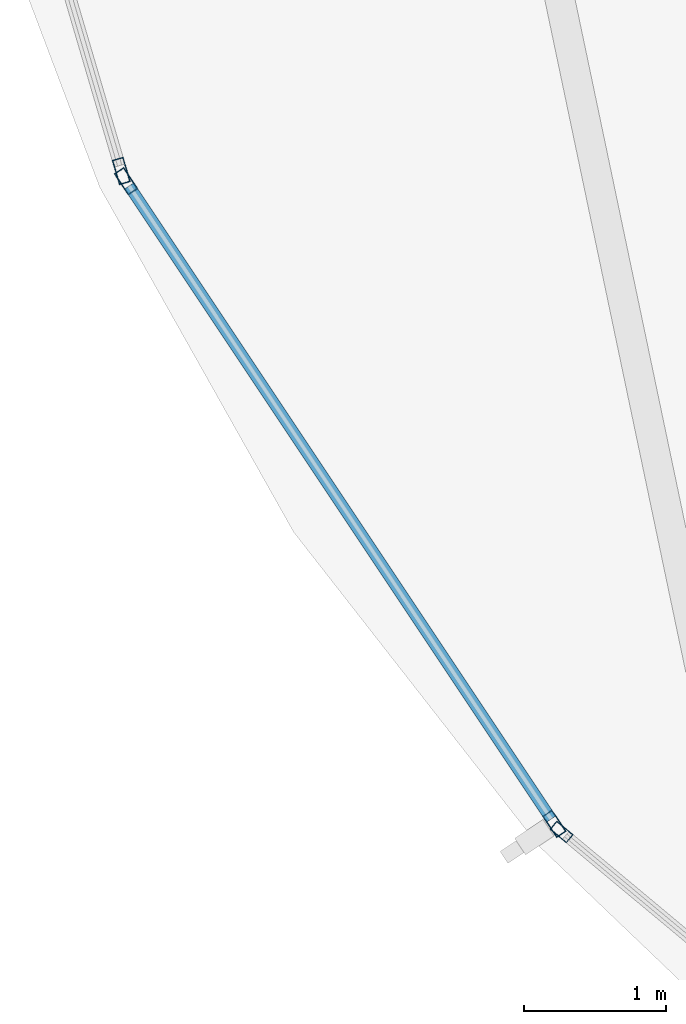
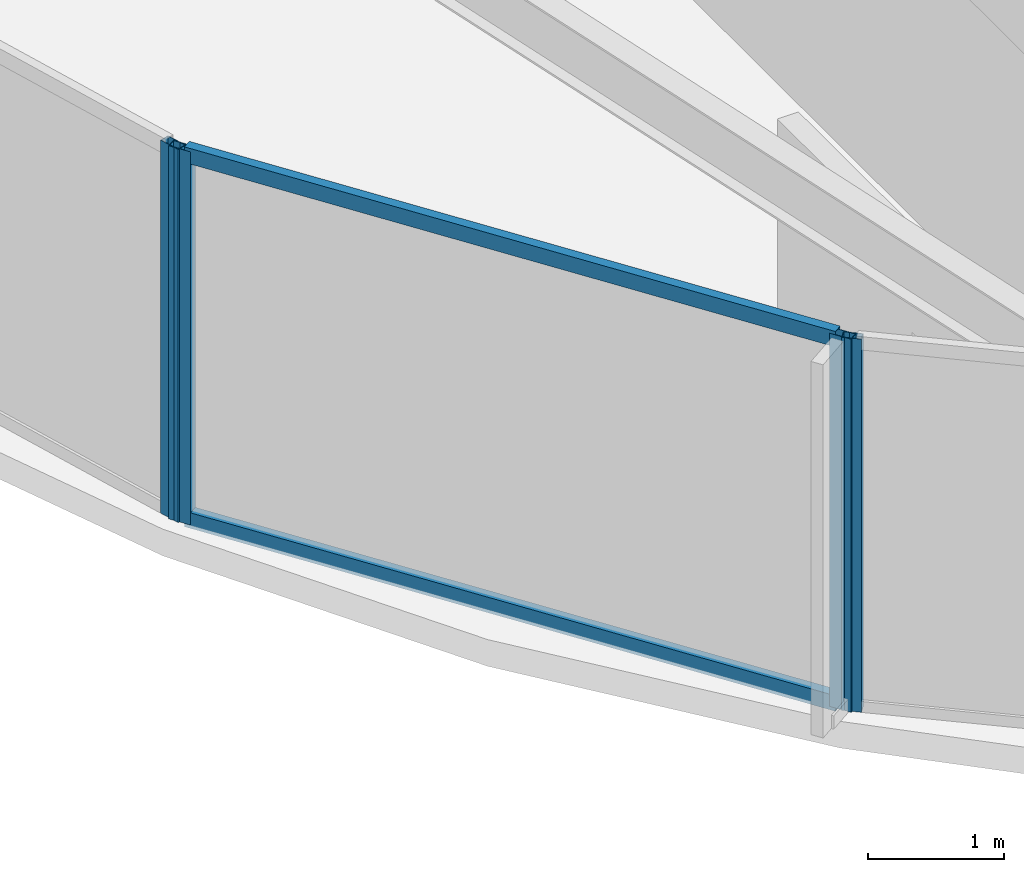
# One storey, part 3 of 31: 6 members, 3 elements without a shape of their own.
"""IFC4 building model written with IfcOpenShell, lengths in metres."""

from ifc_helpers import new_model, si_unit, direction, frame, origin, origin_2d, place, context, subcontext, project, spatial, hollow_rectangle, extrude, material, layer, layer_set, material_profile, profile_set, type_object, element, aggregate, save


model = new_model("IFC4")

# Units and contexts
model_context = context("Model", 3, precision=1e-05, world=origin(), true_north=direction((0.0, 1.0)))
body_context = subcontext(model_context, "Body", "Model", "MODEL_VIEW")
ifc_project = project(units=[si_unit("LENGTHUNIT", "METRE"), si_unit("AREAUNIT", "SQUARE_METRE"), si_unit("VOLUMEUNIT", "CUBIC_METRE"), si_unit("PLANEANGLEUNIT", "RADIAN"), si_unit("MASSUNIT", "GRAM", prefix="KILO")], contexts=[model_context])

# Site, building, storey
site_placement = place(None, origin())
site = spatial("IfcSite", under=ifc_project, at=site_placement, CompositionType="ELEMENT")
building_placement = place(site_placement, origin())
building = spatial("IfcBuilding", under=site, at=building_placement, Name="Kazevale Care Tower and Concert Hall", CompositionType="ELEMENT")
storey_placement = place(building_placement, frame((0.0, 0.0, 235.199951171875)))
storey = spatial("IfcBuildingStorey", under=building, at=storey_placement, Name="L62", CompositionType="ELEMENT", Elevation=235.199951171875)

# Curtain wall, members
ifc_material_1 = material(Name="Aluminium 6063-T6 and Low-E Glass", Category="aluminium")
ifc_layer_1 = layer(ifc_material_1, 0.179931640625)
ifc_layer_set_1 = layer_set([ifc_layer_1], Name="Aluminium 6063-T6 and Low-E Glass")
curtain_wall_type_1 = type_object("IfcCurtainWallType", Name="Waist & Upper Residential Curtain Wall CW-4", PredefinedType="NOTDEFINED", material=ifc_layer_set_1)
curtain_wall_1_placement = place(storey_placement, origin())
curtain_wall_1 = element("IfcCurtainWall", 1, at=curtain_wall_1_placement, inside=storey, type_object=curtain_wall_type_1, Name="cw:L62:f11", PredefinedType="NOTDEFINED")
ifc_material_2 = material(Name="Aluminium 6063-T6", Category="aluminium")
ifc_material_profile_1 = material_profile(ifc_material_2, hollow_rectangle(XDim=0.080078125, YDim=0.179931640625, WallThickness=0.0048828125, at=origin_2d()), Name="ALU80x180x5")
ifc_profile_set_1 = profile_set([ifc_material_profile_1], Name="Aluminium 6063-T6")
member_type_1 = type_object("IfcMemberType", Name="CW-4 Mullion ALU80x180x5", PredefinedType="MULLION", material=ifc_profile_set_1)
member_1_placement = place(storey_placement, frame((18.185791015625, 25.26318359375, 0.0), z_axis=(0.0, 0.0, 1.0), x_axis=(-0.832106058512, -0.554616540853, 0.0)))
member_1 = element("IfcMember", 2, at=member_1_placement, type_object=member_type_1, Name="CW-4 mullion 1", PredefinedType="MULLION", context=body_context, shape_type="SweptSolid", body=[
    extrude(hollow_rectangle(XDim=0.080078125, YDim=0.179931640625, WallThickness=0.0048828125, at=origin_2d()), origin(), (0.0, 0.0, 1.0), 3.360107421875),
])
member_2_placement = place(storey_placement, frame((15.170166015625, 29.78759765625, 0.0), z_axis=(0.0, 0.0, 1.0), x_axis=(-0.832106058512, -0.554616540853, 0.0)))
member_2 = element("IfcMember", 3, at=member_2_placement, type_object=member_type_1, Name="CW-4 mullion 2", PredefinedType="MULLION", context=body_context, shape_type="SweptSolid", body=[
    extrude(hollow_rectangle(XDim=0.080078125, YDim=0.179931640625, WallThickness=0.0048828125, at=origin_2d()), origin(), (0.0, 0.0, 1.0), 3.360107421875),
])

# Curtain wall, member
curtain_wall_2_placement = place(storey_placement, origin())
curtain_wall_2 = element("IfcCurtainWall", 4, at=curtain_wall_2_placement, inside=storey, type_object=curtain_wall_type_1, Name="cw:L62:f12", PredefinedType="NOTDEFINED")
member_3_placement = place(storey_placement, frame((15.13671875, 29.859375, 0.0), z_axis=(0.0, 0.0, 1.0), x_axis=(-0.959385539982, -0.282098184457, 0.0)))
member_3 = element("IfcMember", 5, at=member_3_placement, type_object=member_type_1, Name="CW-4 mullion 1", PredefinedType="MULLION", context=body_context, shape_type="SweptSolid", body=[
    extrude(hollow_rectangle(XDim=0.080078125, YDim=0.179931640625, WallThickness=0.0048828125, at=origin_2d()), origin(), (0.0, 0.0, 1.0), 3.360107421875),
])
aggregate(curtain_wall_2, [member_3])

# Member
ifc_material_profile_2 = material_profile(ifc_material_2, hollow_rectangle(XDim=0.080078125, YDim=0.139892578125, WallThickness=0.00390625, at=origin_2d()), Name="ALU80x140x4")
ifc_profile_set_2 = profile_set([ifc_material_profile_2], Name="Aluminium 6063-T6")
member_type_2 = type_object("IfcMemberType", Name="CW-4 Transom ALU80x140x4", PredefinedType="USERDEFINED", material=ifc_profile_set_2)
member_4_placement = place(storey_placement, frame((18.16357421875, 25.296630859375, 0.0400390625), z_axis=(-0.554616059735, 0.832106379187, 0.0), x_axis=(-0.832106379187, -0.554616059735, 0.0)))
member_4 = element("IfcMember", 6, at=member_4_placement, type_object=member_type_2, Name="CW-4 transom 1.1", ObjectType="TRANSOM", PredefinedType="USERDEFINED", context=body_context, shape_type="SweptSolid", body=[
    extrude(hollow_rectangle(XDim=0.080078125, YDim=0.139892578125, WallThickness=0.00390625, at=origin_2d()), origin(), (0.0, 0.0, 1.0), 5.357177734375),
])

member_5_placement = place(storey_placement, frame((18.16357421875, 25.296630859375, 3.320068359375), z_axis=(-0.554616059735, 0.832106379187, 0.0), x_axis=(-0.832106379187, -0.554616059735, 0.0)))
member_5 = element("IfcMember", 7, at=member_5_placement, type_object=member_type_2, Name="CW-4 transom 1.2", ObjectType="TRANSOM", PredefinedType="USERDEFINED", context=body_context, shape_type="SweptSolid", body=[
    extrude(hollow_rectangle(XDim=0.080078125, YDim=0.139892578125, WallThickness=0.00390625, at=origin_2d()), origin(), (0.0, 0.0, 1.0), 5.357177734375),
])

aggregate(curtain_wall_1, [member_1, member_2, member_4, member_5])

# Curtain wall, member
ifc_layer_2 = layer(ifc_material_1, 0.179931640625)
ifc_layer_set_2 = layer_set([ifc_layer_2], Name="Aluminium 6063-T6 and Low-E Glass")
curtain_wall_type_2 = type_object("IfcCurtainWallType", Name="Sheltered Concave Balcony Curtain Wall CW-5", PredefinedType="NOTDEFINED", material=ifc_layer_set_2)
curtain_wall_3_placement = place(storey_placement, origin())
curtain_wall_3 = element("IfcCurtainWall", 8, at=curtain_wall_3_placement, inside=storey, type_object=curtain_wall_type_2, Name="cw:L62:f10", PredefinedType="NOTDEFINED")
ifc_material_profile_3 = material_profile(ifc_material_2, hollow_rectangle(XDim=0.074951171875, YDim=0.14990234375, WallThickness=0.00390625, at=origin_2d()), Name="ALU75x150x4")
ifc_profile_set_3 = profile_set([ifc_material_profile_3], Name="Aluminium 6063-T6")
member_type_3 = type_object("IfcMemberType", Name="CW-5 Mullion ALU75x150x4", PredefinedType="MULLION", material=ifc_profile_set_3)
member_6_placement = place(storey_placement, frame((18.23681640625, 25.2060546875, 0.0), z_axis=(0.0, 0.0, 1.0), x_axis=(-0.639961217204, -0.768407210062, 0.0)))
member_6 = element("IfcMember", 9, at=member_6_placement, type_object=member_type_3, Name="CW-5 mullion 2", PredefinedType="MULLION", context=body_context, shape_type="SweptSolid", body=[
    extrude(hollow_rectangle(XDim=0.074951171875, YDim=0.14990234375, WallThickness=0.00390625, at=origin_2d()), origin(), (0.0, 0.0, 1.0), 3.360107421875),
])
aggregate(curtain_wall_3, [member_6])

save(model, "model.ifc")
